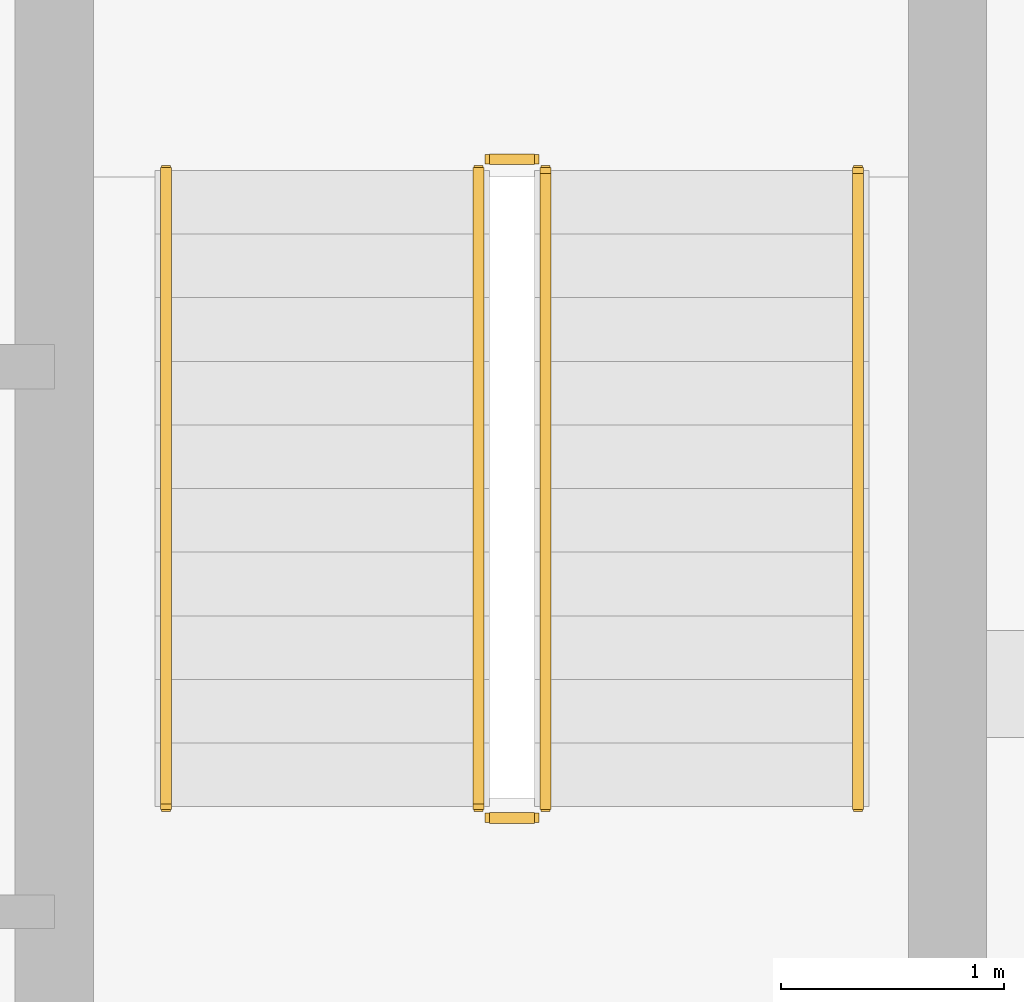
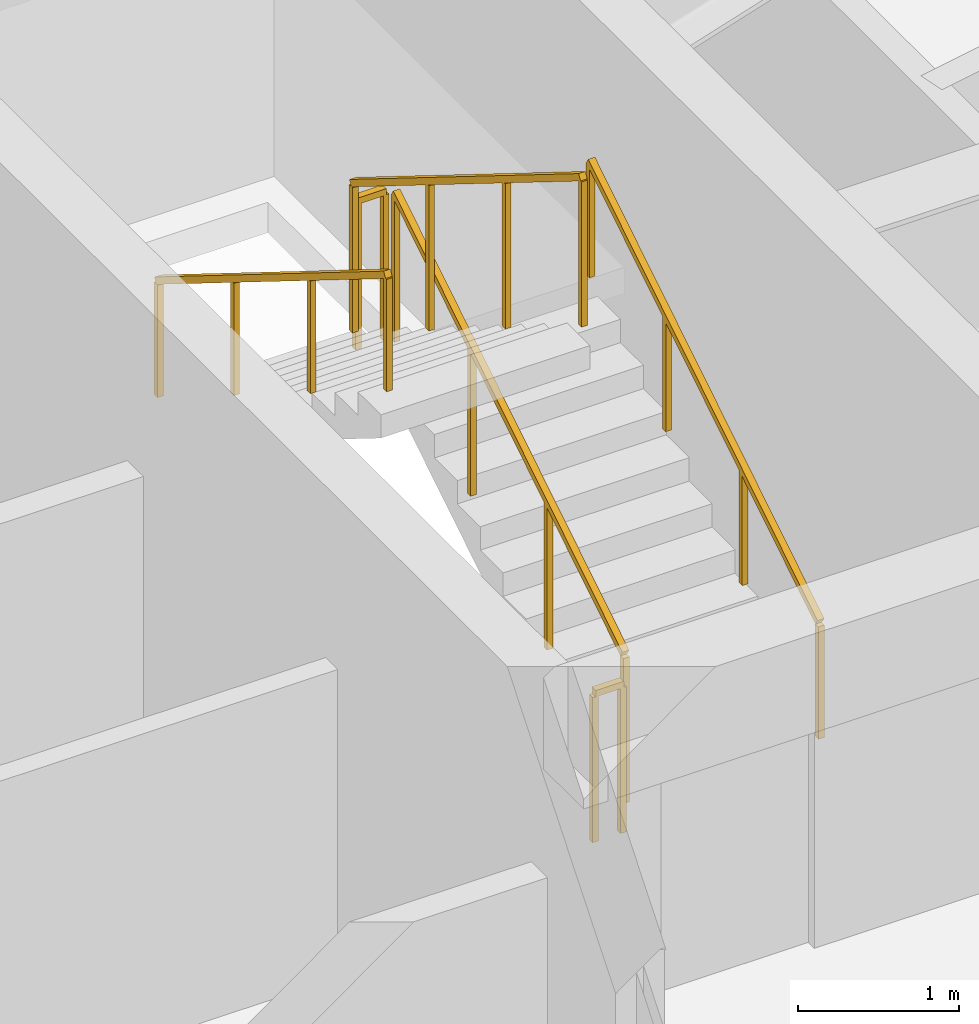
# One storey, part 24 of 24: 6 railings.
"""IFC4 building model written with IfcOpenShell, lengths in metres."""

import ifcopenshell
import ifcopenshell.guid

model = None  # the IFC model being written
_history = None  # IfcOwnerHistory: only IFC2X3 demands one
_inside = {}  # id of a spatial element -> (the spatial element, [elements in it])
_under = {}  # id of a project, library or spatial element -> (it, [spatial elements below it])
_declared = {}  # id of a project -> (the project, [libraries it declares])
_typed = {}  # id of a type object -> (the type object, [elements of that type])
_made_of = {}  # id of a material, layer set ... -> (it, [elements and type objects made of it])


def new_model(schema):
    """Start an empty IFC model of exactly this schema.

    Asked for "IFC4X3", IfcOpenShell would pick the latest addendum, in which some entities
    have other attributes; the version numbers below select the first issue.
    IFC2X3 requires an IfcOwnerHistory on every rooted entity: one is made here for all.
    """
    global model, _history
    if schema == "IFC4X3":
        model = ifcopenshell.file(schema_version=(4, 3, 0, 0))
    else:
        model = ifcopenshell.file(schema=schema)
    _inside.clear()
    _under.clear()
    _declared.clear()
    _typed.clear()
    _made_of.clear()
    _history = None
    if model.schema == "IFC2X3":
        org = make("IfcOrganization", Name="unknown")
        user = make(
            "IfcPersonAndOrganization",
            ThePerson=make("IfcPerson", FamilyName="unknown"),
            TheOrganization=org,
        )
        app = make(
            "IfcApplication",
            ApplicationDeveloper=org,
            Version="unknown",
            ApplicationFullName="unknown",
            ApplicationIdentifier="unknown",
        )
        _history = make(
            "IfcOwnerHistory",
            OwningUser=user,
            OwningApplication=app,
            ChangeAction="ADDED",
            CreationDate=0,
        )
    return model


def make(cls, **values):
    """One entity of the class cls with the attributes given. An attribute that is None is left unset."""
    return model.create_entity(
        cls, **{name: value for name, value in values.items() if value is not None}
    )


def rooted(cls, **values):
    """An entity with a GlobalId (a new one), such as an element, a storey or a relation."""
    return make(cls, GlobalId=ifcopenshell.guid.new(), OwnerHistory=_history, **values)


def si_unit(unit_type, name, prefix=None):
    """IfcSIUnit, for example si_unit("LENGTHUNIT", "METRE", prefix="MILLI")."""
    return make("IfcSIUnit", UnitType=unit_type, Prefix=prefix, Name=name)


def assignment(units):
    """IfcUnitAssignment: the units of a project."""
    return None if units is None else make("IfcUnitAssignment", Units=units)


def point(xyz):
    """IfcCartesianPoint."""
    return None if xyz is None else make("IfcCartesianPoint", Coordinates=xyz)


def direction(xyz):
    """IfcDirection."""
    return None if xyz is None else make("IfcDirection", DirectionRatios=xyz)


def frame(location, z_axis=None, x_axis=None):
    """IfcAxis2Placement3D, a coordinate frame: its origin and axes. An axis left out is left unset."""
    return make(
        "IfcAxis2Placement3D",
        Location=point(location),
        Axis=direction(z_axis),
        RefDirection=direction(x_axis),
    )


def frame_2d(location, x_axis=None):
    """IfcAxis2Placement2D, a coordinate frame in the plane: its origin and x axis."""
    return make(
        "IfcAxis2Placement2D", Location=point(location), RefDirection=direction(x_axis)
    )


def origin():
    """The frame at (0, 0, 0) with its axes left unset."""
    return frame((0.0, 0.0, 0.0))


def origin_2d():
    """The frame at (0, 0) in the plane with its x axis left unset."""
    return frame_2d((0.0, 0.0))


def place(relative_to, where):
    """IfcLocalPlacement: puts the frame where relative to a parent placement (None: the world)."""
    return make(
        "IfcLocalPlacement", PlacementRelTo=relative_to, RelativePlacement=where
    )


def context(
    kind, dimensions, precision=None, world=None, true_north=None, identifier=None
):
    """IfcGeometricRepresentationContext, for example the 3D "Model" context."""
    return make(
        "IfcGeometricRepresentationContext",
        ContextIdentifier=identifier,
        ContextType=kind,
        CoordinateSpaceDimension=dimensions,
        Precision=precision,
        WorldCoordinateSystem=world,
        TrueNorth=true_north,
    )


def subcontext(parent, identifier, kind, view, scale=None):
    """IfcGeometricRepresentationSubContext, for example "Body" below "Model"."""
    return make(
        "IfcGeometricRepresentationSubContext",
        ContextIdentifier=identifier,
        ContextType=kind,
        ParentContext=parent,
        TargetScale=scale,
        TargetView=view,
    )


def project(units=None, contexts=None):
    """IfcProject with its units and contexts."""
    return rooted(
        "IfcProject",
        Name="project",
        RepresentationContexts=contexts,
        UnitsInContext=assignment(units),
    )


def spatial(cls, under=None, at=None, **own):
    """A site, building, storey or space (cls), placed at a placement, below another one or the project."""
    s = rooted(cls, ObjectPlacement=at, **own)
    if under is not None:
        _under.setdefault(under.id(), (under, []))[1].append(s)
    return s


def profile(cls, at=None, kind="AREA", **sizes):
    """A parametric profile (cls). Its sizes go by their IFC names, for example OverallWidth=200.0."""
    return make(cls, ProfileType=kind, Position=at, **sizes)


def rectangle(**sizes):
    """IfcRectangleProfileDef."""
    return profile("IfcRectangleProfileDef", **sizes)


def extrude(swept, where, along, depth):
    """IfcExtrudedAreaSolid: the profile swept, set in the frame where, extruded along a direction by depth."""
    return make(
        "IfcExtrudedAreaSolid",
        SweptArea=swept,
        Position=where,
        ExtrudedDirection=direction(along),
        Depth=depth,
    )


def shape(context_of_items, identifier, shape_type, items):
    """IfcShapeRepresentation: the items that make up one representation, for example the "Body"."""
    return make(
        "IfcShapeRepresentation",
        ContextOfItems=context_of_items,
        RepresentationIdentifier=identifier,
        RepresentationType=shape_type,
        Items=items,
    )


def material(Name=None, Category=None):
    """IfcMaterial."""
    return make("IfcMaterial", Name=Name, Category=Category)


def made_of(thing, what):
    """Note that an element or type object is made of a material, layer set ...; save() writes the relation."""
    if what is not None:
        _made_of.setdefault(what.id(), (what, []))[1].append(thing)
    return thing


def type_object(cls, material=None, **own):
    """A type object (cls), such as IfcWallType, which elements share."""
    return made_of(rooted(cls, **own), material)


def element(
    cls,
    number,
    at=None,
    inside=None,
    cuts=None,
    type_object=None,
    material=None,
    context=None,
    identifier="Body",
    shape_type=None,
    held_by="IfcProductDefinitionShape",
    body=None,
    shapes=None,
    **own,
):
    """One element of the class cls, such as IfcWall. Its Tag is "e" and its number.

    at: its placement. inside: the storey or other place that contains it. cuts: it is an
    opening in that element (IfcRelVoidsElement). A single representation is given by context,
    identifier, shape_type and body (its items); several are given by shapes. held_by: the class
    of the entity that holds the representations. save() writes the other relations.
    """
    e = rooted(cls, Tag="e%d" % number, ObjectPlacement=at, **own)
    if body is not None:
        shapes = [shape(context, identifier, shape_type, body)]
    if shapes is not None:
        e.Representation = make(held_by, Representations=shapes)
    if inside is not None:
        _inside.setdefault(inside.id(), (inside, []))[1].append(e)
    if cuts is not None:
        rooted(
            "IfcRelVoidsElement", RelatingBuildingElement=cuts, RelatedOpeningElement=e
        )
    if type_object is not None:
        _typed.setdefault(type_object.id(), (type_object, []))[1].append(e)
    return made_of(e, material)


def aggregate(whole, parts):
    """IfcRelAggregates: a whole, such as a stair, and the parts it consists of."""
    return rooted("IfcRelAggregates", RelatingObject=whole, RelatedObjects=parts)


def save(model, path):
    """Write the relations noted so far, then the file.

    IfcRelAggregates (storeys below a building ...), IfcRelContainedInSpatialStructure (elements
    in a storey), IfcRelDefinesByType, IfcRelAssociatesMaterial and IfcRelDeclares: one each for
    every whole, place, type object, material and project.
    """
    for whole, parts in _under.values():
        aggregate(whole, parts)
    for where, things in _inside.values():
        rooted(
            "IfcRelContainedInSpatialStructure",
            RelatedElements=things,
            RelatingStructure=where,
        )
    for kind, things in _typed.values():
        rooted("IfcRelDefinesByType", RelatedObjects=things, RelatingType=kind)
    for what, things in _made_of.values():
        rooted("IfcRelAssociatesMaterial", RelatedObjects=things, RelatingMaterial=what)
    for by, libraries in _declared.values():
        rooted("IfcRelDeclares", RelatingContext=by, RelatedDefinitions=libraries)
    model.write(path)


model = new_model("IFC4")

# Units and contexts
model_context = context("Model", 3, precision=1e-05, world=origin(), true_north=direction((0.0, 1.0)))
body_context = subcontext(model_context, "Body", "Model", "MODEL_VIEW")
ifc_project = project(units=[si_unit("LENGTHUNIT", "METRE"), si_unit("AREAUNIT", "SQUARE_METRE"), si_unit("VOLUMEUNIT", "CUBIC_METRE"), si_unit("PLANEANGLEUNIT", "RADIAN"), si_unit("MASSUNIT", "GRAM", prefix="KILO")], contexts=[model_context])

# Site, building, storey
site_placement = place(None, origin())
site = spatial("IfcSite", under=ifc_project, at=site_placement, CompositionType="ELEMENT")
building_placement = place(site_placement, origin())
building = spatial("IfcBuilding", under=site, at=building_placement, Name="Sarneth Arch Tower", CompositionType="ELEMENT")
storey_placement = place(building_placement, frame((0.0, 0.0, 312.60009765625)))
storey = spatial("IfcBuildingStorey", under=building, at=storey_placement, Name="L81", CompositionType="ELEMENT", Elevation=312.60009765625)

# Railings
ifc_material_1 = material(Name="Brushed Stainless Steel 304 tubular handrail", Category="steel")
railing_type_1 = type_object("IfcRailingType", Name="RAIL-HANDRAIL-900", PredefinedType="HANDRAIL", material=ifc_material_1)
railing_1_placement = place(storey_placement, frame((58.60009765625, 41.449951171875, 0.17724609375)))
element("IfcRailing", 1, at=railing_1_placement, inside=storey, type_object=railing_type_1, Name="L81 ST-2 stair handrail 1", PredefinedType="HANDRAIL", context=body_context, shape_type="SweptSolid", body=[
    extrude(rectangle(XDim=0.048095703125, YDim=0.048095703125, at=origin_2d()), frame((0.0, 0.0, 0.8759765625), z_axis=(0.0, 0.849148672731, 0.528153890072), x_axis=(-1.0, 0.0, 0.0)), (0.0, 0.0, 1.0), 3.3564453125),
    extrude(rectangle(XDim=0.0419921875, YDim=0.0419921875, at=origin_2d()), origin(), (0.0, 0.0, 1.0), 0.851806640625),
    extrude(rectangle(XDim=0.0419921875, YDim=0.0419921875, at=origin_2d()), frame((0.0, 0.949951171875, 0.5908203125)), (0.0, 0.0, 1.0), 0.851806640625),
    extrude(rectangle(XDim=0.0419921875, YDim=0.0419921875, at=origin_2d()), frame((0.0, 1.900146484375, 1.181884765625)), (0.0, 0.0, 1.0), 0.851806640625),
    extrude(rectangle(XDim=0.0419921875, YDim=0.0419921875, at=origin_2d()), frame((0.0, 2.85009765625, 1.772705078125)), (0.0, 0.0, 1.0), 0.851806640625),
])
railing_2_placement = place(storey_placement, frame((55.5, 44.300048828125, 2.127197265625)))
element("IfcRailing", 2, at=railing_2_placement, inside=storey, type_object=railing_type_1, Name="L81 ST-2 stair handrail 2", PredefinedType="HANDRAIL", context=body_context, shape_type="SweptSolid", body=[
    extrude(rectangle(XDim=0.048095703125, YDim=0.048095703125, at=origin_2d()), frame((0.0, 0.0, 0.8759765625), z_axis=(0.0, -0.849148672731, 0.528153890072), x_axis=(1.0, 0.0, 0.0)), (0.0, 0.0, 1.0), 3.3564453125),
    extrude(rectangle(XDim=0.0419921875, YDim=0.0419921875, at=origin_2d()), origin(), (0.0, 0.0, 1.0), 0.851806640625),
    extrude(rectangle(XDim=0.0419921875, YDim=0.0419921875, at=origin_2d()), frame((0.0, -0.949951171875, 0.5908203125)), (0.0, 0.0, 1.0), 0.851806640625),
    extrude(rectangle(XDim=0.0419921875, YDim=0.0419921875, at=origin_2d()), frame((0.0, -1.900146484375, 1.181884765625)), (0.0, 0.0, 1.0), 0.851806640625),
    extrude(rectangle(XDim=0.0419921875, YDim=0.0419921875, at=origin_2d()), frame((0.0, -2.85009765625, 1.772705078125)), (0.0, 0.0, 1.0), 0.851806640625),
])
ifc_material_2 = material(Name="Painted Steel S275 stair well guard", Category="steel")
railing_type_2 = type_object("IfcRailingType", Name="RAIL-STAIR-GUARD", PredefinedType="GUARDRAIL", material=ifc_material_2)
railing_3_placement = place(storey_placement, frame((57.199951171875, 41.449951171875, 0.17724609375)))
element("IfcRailing", 3, at=railing_3_placement, inside=storey, type_object=railing_type_2, Name="L81 ST-2 stair guard 1", PredefinedType="GUARDRAIL", context=body_context, shape_type="SweptSolid", body=[
    extrude(rectangle(XDim=0.048095703125, YDim=0.048095703125, at=origin_2d()), frame((0.0, 0.0, 1.1259765625), z_axis=(0.0, 0.849148672731, 0.528153890072), x_axis=(-1.0, 0.0, 0.0)), (0.0, 0.0, 1.0), 3.3564453125),
    extrude(rectangle(XDim=0.0419921875, YDim=0.0419921875, at=origin_2d()), origin(), (0.0, 0.0, 1.0), 1.101806640625),
    extrude(rectangle(XDim=0.0419921875, YDim=0.0419921875, at=origin_2d()), frame((0.0, 0.949951171875, 0.5908203125)), (0.0, 0.0, 1.0), 1.101806640625),
    extrude(rectangle(XDim=0.0419921875, YDim=0.0419921875, at=origin_2d()), frame((0.0, 1.900146484375, 1.181884765625)), (0.0, 0.0, 1.0), 1.101806640625),
    extrude(rectangle(XDim=0.0419921875, YDim=0.0419921875, at=origin_2d()), frame((0.0, 2.85009765625, 1.772705078125)), (0.0, 0.0, 1.0), 1.101806640625),
])
railing_4_placement = place(storey_placement, frame((57.14990234375, 44.35009765625, 1.949951171875)))
element("IfcRailing", 4, at=railing_4_placement, inside=storey, type_object=railing_type_2, Name="L81 ST-2 stair guard 2", PredefinedType="GUARDRAIL", context=body_context, shape_type="SweptSolid", body=[
    extrude(rectangle(XDim=0.048095703125, YDim=0.048095703125, at=origin_2d()), frame((0.0, 0.0, 1.1259765625), z_axis=(-1.0, 0.0, 0.0), x_axis=(0.0, -1.0, 0.0)), (0.0, 0.0, 1.0), 0.199951171875),
    extrude(rectangle(XDim=0.0419921875, YDim=0.0419921875, at=origin_2d()), origin(), (0.0, 0.0, 1.0), 1.101806640625),
    extrude(rectangle(XDim=0.0419921875, YDim=0.0419921875, at=origin_2d()), frame((-0.199951171875, 0.0, 0.0)), (0.0, 0.0, 1.0), 1.101806640625),
])
railing_5_placement = place(storey_placement, frame((56.89990234375, 44.300048828125, 2.127197265625)))
element("IfcRailing", 5, at=railing_5_placement, inside=storey, type_object=railing_type_2, Name="L81 ST-2 stair guard 3", PredefinedType="GUARDRAIL", context=body_context, shape_type="SweptSolid", body=[
    extrude(rectangle(XDim=0.048095703125, YDim=0.048095703125, at=origin_2d()), frame((0.0, 0.0, 1.1259765625), z_axis=(0.0, -0.849148672731, 0.528153890072), x_axis=(1.0, 0.0, 0.0)), (0.0, 0.0, 1.0), 3.3564453125),
    extrude(rectangle(XDim=0.0419921875, YDim=0.0419921875, at=origin_2d()), origin(), (0.0, 0.0, 1.0), 1.101806640625),
    extrude(rectangle(XDim=0.0419921875, YDim=0.0419921875, at=origin_2d()), frame((0.0, -0.949951171875, 0.5908203125)), (0.0, 0.0, 1.0), 1.101806640625),
    extrude(rectangle(XDim=0.0419921875, YDim=0.0419921875, at=origin_2d()), frame((0.0, -1.900146484375, 1.181884765625)), (0.0, 0.0, 1.0), 1.101806640625),
    extrude(rectangle(XDim=0.0419921875, YDim=0.0419921875, at=origin_2d()), frame((0.0, -2.85009765625, 1.772705078125)), (0.0, 0.0, 1.0), 1.101806640625),
])
railing_6_placement = place(storey_placement, frame((57.14990234375, 41.39990234375, 0.0)))
element("IfcRailing", 6, at=railing_6_placement, inside=storey, type_object=railing_type_2, Name="L81 ST-2 stair guard 4", PredefinedType="GUARDRAIL", context=body_context, shape_type="SweptSolid", body=[
    extrude(rectangle(XDim=0.048095703125, YDim=0.048095703125, at=origin_2d()), frame((0.0, 0.0, 1.1259765625), z_axis=(-1.0, 0.0, 0.0), x_axis=(0.0, -1.0, 0.0)), (0.0, 0.0, 1.0), 0.199951171875),
    extrude(rectangle(XDim=0.0419921875, YDim=0.0419921875, at=origin_2d()), origin(), (0.0, 0.0, 1.0), 1.101806640625),
    extrude(rectangle(XDim=0.0419921875, YDim=0.0419921875, at=origin_2d()), frame((-0.199951171875, 0.0, 0.0)), (0.0, 0.0, 1.0), 1.101806640625),
])

save(model, "model.ifc")
